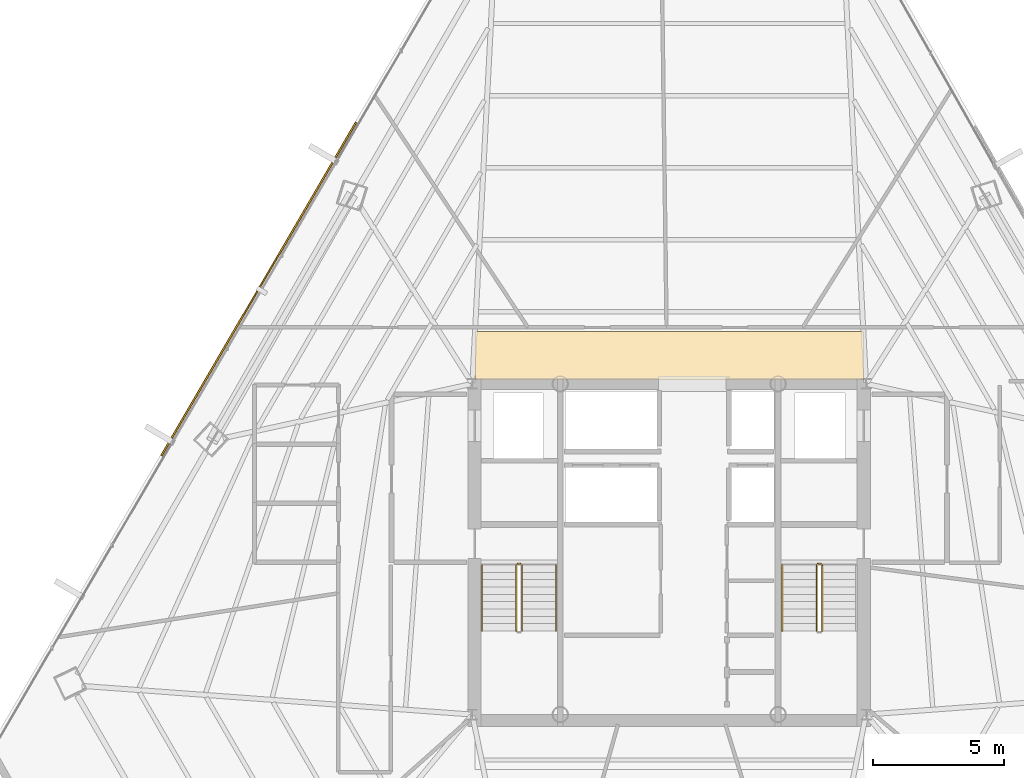
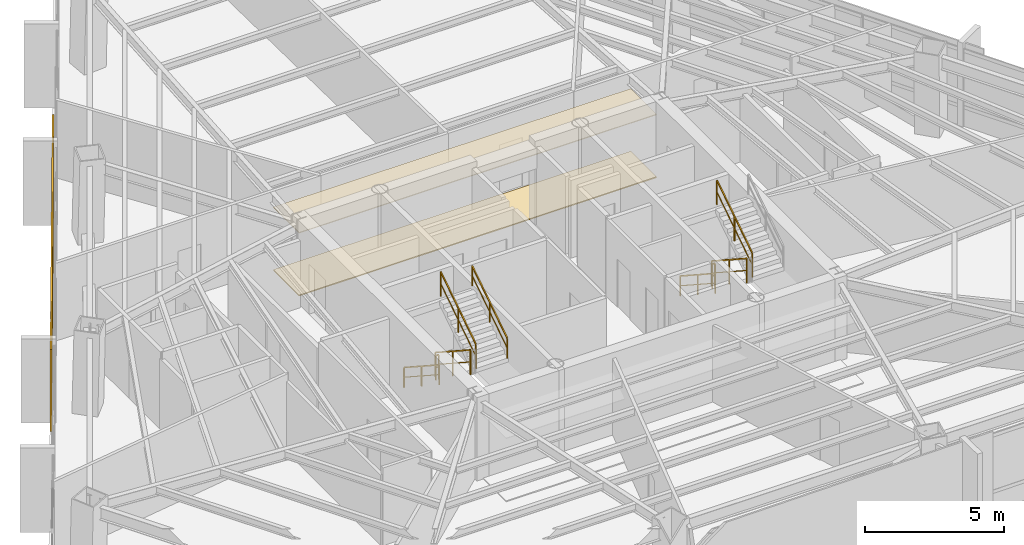
# One storey, part 40 of 41: 9 railings, 2 coverings, 1 shading device.
"""IFC4 building model written with IfcOpenShell, lengths in metres."""

from ifc_helpers import new_model, si_unit, direction, frame, origin, origin_2d, place, context, subcontext, project, spatial, polyline, rectangle, outline, extrude, source, transform, mapped, material, layer, layer_set, type_object, type_shapes, element, save


model = new_model("IFC4")

# Units and contexts
model_context = context("Model", 3, precision=1e-05, world=origin(), true_north=direction((0.0, 1.0)))
body_context = subcontext(model_context, "Body", "Model", "MODEL_VIEW")
ifc_project = project(units=[si_unit("LENGTHUNIT", "METRE"), si_unit("AREAUNIT", "SQUARE_METRE"), si_unit("VOLUMEUNIT", "CUBIC_METRE"), si_unit("PLANEANGLEUNIT", "RADIAN"), si_unit("MASSUNIT", "GRAM", prefix="KILO")], contexts=[model_context])

# Site, building, storey
site_placement = place(None, origin())
site = spatial("IfcSite", under=ifc_project, at=site_placement, CompositionType="ELEMENT")
building_placement = place(site_placement, origin())
building = spatial("IfcBuilding", under=site, at=building_placement, Name="Caelisora Broadcast Tower", CompositionType="ELEMENT")
storey_placement = place(building_placement, frame((0.0, 0.0, 135.449951171875)))
storey = spatial("IfcBuildingStorey", under=building, at=storey_placement, Name="L35", CompositionType="ELEMENT", Elevation=135.449951171875)

# Coverings
ifc_material_1 = material(Name="Perforated Mineral-Fibre Acoustic Ceiling Tile", Category="gypsum")
ifc_layer_1 = layer(ifc_material_1, 0.034912109375, Name="Perforated Mineral-Fibre Acoustic Ceiling Tile")
ifc_layer_set_1 = layer_set([ifc_layer_1], Name="Perforated Mineral-Fibre Acoustic Ceiling Tile")
covering_type_1 = type_object("IfcCoveringType", Name="CE-1", PredefinedType="CEILING", material=ifc_layer_set_1)
covering_1_placement = place(storey_placement, frame((0.0, 0.0, 2.75)))
element("IfcCovering", 1, at=covering_1_placement, inside=storey, type_object=covering_type_1, Name="L35 acoustic corridor ceiling CE-1 (N)", PredefinedType="CEILING", context=body_context, shape_type="SweptSolid", body=[
    extrude(outline(polyline([(30.60009765625, 30.14990234375), (45.39990234375, 30.14990234375), (45.39990234375, 32.0), (30.60009765625, 32.0), (30.60009765625, 30.14990234375)])), origin(), (0.0, 0.0, 1.0), 0.03515625),
])
ifc_material_2 = material(Name="Anti-Static Broadcast Raised Access Floor Panel", Category="steel")
ifc_layer_2 = layer(ifc_material_2, 0.044921875, Name="Anti-Static Broadcast Raised Access Floor Panel")
ifc_layer_set_2 = layer_set([ifc_layer_2], Name="Anti-Static Broadcast Raised Access Floor Panel")
covering_type_2 = type_object("IfcCoveringType", Name="FL-1", PredefinedType="FLOORING", material=ifc_layer_set_2)
covering_2_placement = place(storey_placement, origin())
element("IfcCovering", 2, at=covering_2_placement, inside=storey, type_object=covering_type_2, Name="L35 broadcast raised access floor FL-1 (N)", PredefinedType="FLOORING", context=body_context, shape_type="SweptSolid", body=[
    extrude(outline(polyline([(30.60009765625, 30.14990234375), (45.39990234375, 30.14990234375), (45.39990234375, 32.0), (30.60009765625, 32.0), (30.60009765625, 30.14990234375)])), origin(), (0.0, 0.0, 1.0), 0.045166015625),
])

# Railings
ifc_material_3 = material(Name="Galvanised Steel Safety Guardrail", Category="steel")
ifc_layer_3 = layer(ifc_material_3, 0.048095703125, Name="Galvanised Steel Safety Guardrail")
ifc_layer_set_3 = layer_set([ifc_layer_3], Name="Galvanised Steel Safety Guardrail")
railing_type_1 = type_object("IfcRailingType", Name="GR-1", PredefinedType="GUARDRAIL", material=ifc_layer_set_3)
railing_1_placement = place(storey_placement, frame((32.169921875, 23.10009765625, 0.1826171875)))
element("IfcRailing", 3, at=railing_1_placement, inside=storey, type_object=railing_type_1, Name="L35 ST-1 stair guard 1", PredefinedType="GUARDRAIL", context=body_context, shape_type="SweptSolid", body=[
    extrude(rectangle(XDim=0.048095703125, YDim=0.048095703125, at=origin_2d()), frame((0.0, 0.0, 1.076171875), z_axis=(0.0, -0.837786554691, 0.545997883492), x_axis=(1.0, 0.0, 0.0)), (0.0, 0.0, 1.0), 3.008056640625),
    extrude(rectangle(XDim=0.03125, YDim=0.03125, at=origin_2d()), frame((0.0, 0.0, 0.550048828125), z_axis=(0.0, -0.837786554691, 0.545997883492), x_axis=(1.0, 0.0, 0.0)), (0.0, 0.0, 1.0), 3.008056640625),
    extrude(rectangle(XDim=0.0419921875, YDim=0.0419921875, at=origin_2d()), origin(), (0.0, 0.0, 1.0), 1.052001953125),
    extrude(rectangle(XDim=0.0419921875, YDim=0.0419921875, at=origin_2d()), frame((0.0, -1.260009765625, 0.8212890625)), (0.0, 0.0, 1.0), 1.052001953125),
    extrude(rectangle(XDim=0.0419921875, YDim=0.0419921875, at=origin_2d()), frame((0.0, -2.52001953125, 1.642333984375)), (0.0, 0.0, 1.0), 1.052001953125),
])
railing_2_placement = place(storey_placement, frame((32.389892578125, 20.580078125, 2.007568359375)))
element("IfcRailing", 4, at=railing_2_placement, inside=storey, type_object=railing_type_1, Name="L35 ST-1 stair guard 3", PredefinedType="GUARDRAIL", context=body_context, shape_type="SweptSolid", body=[
    extrude(rectangle(XDim=0.048095703125, YDim=0.048095703125, at=origin_2d()), frame((0.0, 0.0, 1.076171875), z_axis=(0.0, 0.837749427056, 0.546054848405), x_axis=(-1.0, 0.0, 0.0)), (0.0, 0.0, 1.0), 3.008056640625),
    extrude(rectangle(XDim=0.03125, YDim=0.03125, at=origin_2d()), frame((0.0, 0.0, 0.550048828125), z_axis=(0.0, 0.837749427056, 0.546054848405), x_axis=(-1.0, 0.0, 0.0)), (0.0, 0.0, 1.0), 3.008056640625),
    extrude(rectangle(XDim=0.0419921875, YDim=0.0419921875, at=origin_2d()), origin(), (0.0, 0.0, 1.0), 1.052001953125),
    extrude(rectangle(XDim=0.0419921875, YDim=0.0419921875, at=origin_2d()), frame((0.0, 1.260009765625, 0.8212890625)), (0.0, 0.0, 1.0), 1.052001953125),
    extrude(rectangle(XDim=0.0419921875, YDim=0.0419921875, at=origin_2d()), frame((0.0, 2.52001953125, 1.642578125)), (0.0, 0.0, 1.0), 1.052001953125),
])
railing_3_placement = place(storey_placement, frame((32.219970703125, 23.14990234375, 0.0)))
element("IfcRailing", 5, at=railing_3_placement, inside=storey, type_object=railing_type_1, Name="L35 ST-1 stair guard 4", PredefinedType="GUARDRAIL", context=body_context, shape_type="SweptSolid", body=[
    extrude(rectangle(XDim=0.048095703125, YDim=0.048095703125, at=origin_2d()), frame((0.0, 0.0, 1.076171875), z_axis=(1.0, 0.0, 0.0), x_axis=(0.0, 1.0, 0.0)), (0.0, 0.0, 1.0), 0.1201171875),
    extrude(rectangle(XDim=0.03125, YDim=0.03125, at=origin_2d()), frame((0.0, 0.0, 0.550048828125), z_axis=(1.0, 0.0, 0.0), x_axis=(0.0, 1.0, 0.0)), (0.0, 0.0, 1.0), 0.1201171875),
    extrude(rectangle(XDim=0.0419921875, YDim=0.0419921875, at=origin_2d()), origin(), (0.0, 0.0, 1.0), 1.052001953125),
    extrude(rectangle(XDim=0.0419921875, YDim=0.0419921875, at=origin_2d()), frame((0.1201171875, 0.0, 0.0)), (0.0, 0.0, 1.0), 1.052001953125),
])
railing_4_placement = place(storey_placement, frame((43.610107421875, 23.10009765625, 0.1826171875)))
element("IfcRailing", 6, at=railing_4_placement, inside=storey, type_object=railing_type_1, Name="L35 ST-2 stair guard 1", PredefinedType="GUARDRAIL", context=body_context, shape_type="SweptSolid", body=[
    extrude(rectangle(XDim=0.048095703125, YDim=0.048095703125, at=origin_2d()), frame((0.0, 0.0, 1.076171875), z_axis=(0.0, -0.837786554691, 0.545997883492), x_axis=(1.0, 0.0, 0.0)), (0.0, 0.0, 1.0), 3.008056640625),
    extrude(rectangle(XDim=0.03125, YDim=0.03125, at=origin_2d()), frame((0.0, 0.0, 0.550048828125), z_axis=(0.0, -0.837786554691, 0.545997883492), x_axis=(1.0, 0.0, 0.0)), (0.0, 0.0, 1.0), 3.008056640625),
    extrude(rectangle(XDim=0.0419921875, YDim=0.0419921875, at=origin_2d()), origin(), (0.0, 0.0, 1.0), 1.052001953125),
    extrude(rectangle(XDim=0.0419921875, YDim=0.0419921875, at=origin_2d()), frame((0.0, -1.260009765625, 0.8212890625)), (0.0, 0.0, 1.0), 1.052001953125),
    extrude(rectangle(XDim=0.0419921875, YDim=0.0419921875, at=origin_2d()), frame((0.0, -2.52001953125, 1.642333984375)), (0.0, 0.0, 1.0), 1.052001953125),
])
railing_5_placement = place(storey_placement, frame((43.830078125, 20.580078125, 2.007568359375)))
element("IfcRailing", 7, at=railing_5_placement, inside=storey, type_object=railing_type_1, Name="L35 ST-2 stair guard 3", PredefinedType="GUARDRAIL", context=body_context, shape_type="SweptSolid", body=[
    extrude(rectangle(XDim=0.048095703125, YDim=0.048095703125, at=origin_2d()), frame((0.0, 0.0, 1.076171875), z_axis=(0.0, 0.837749427056, 0.546054848405), x_axis=(-1.0, 0.0, 0.0)), (0.0, 0.0, 1.0), 3.008056640625),
    extrude(rectangle(XDim=0.03125, YDim=0.03125, at=origin_2d()), frame((0.0, 0.0, 0.550048828125), z_axis=(0.0, 0.837749427056, 0.546054848405), x_axis=(-1.0, 0.0, 0.0)), (0.0, 0.0, 1.0), 3.008056640625),
    extrude(rectangle(XDim=0.0419921875, YDim=0.0419921875, at=origin_2d()), origin(), (0.0, 0.0, 1.0), 1.052001953125),
    extrude(rectangle(XDim=0.0419921875, YDim=0.0419921875, at=origin_2d()), frame((0.0, 1.260009765625, 0.8212890625)), (0.0, 0.0, 1.0), 1.052001953125),
    extrude(rectangle(XDim=0.0419921875, YDim=0.0419921875, at=origin_2d()), frame((0.0, 2.52001953125, 1.642578125)), (0.0, 0.0, 1.0), 1.052001953125),
])
railing_6_placement = place(storey_placement, frame((43.659912109375, 23.14990234375, 0.0)))
element("IfcRailing", 8, at=railing_6_placement, inside=storey, type_object=railing_type_1, Name="L35 ST-2 stair guard 4", PredefinedType="GUARDRAIL", context=body_context, shape_type="SweptSolid", body=[
    extrude(rectangle(XDim=0.048095703125, YDim=0.048095703125, at=origin_2d()), frame((0.0, 0.0, 1.076171875), z_axis=(1.0, 0.0, 0.0), x_axis=(0.0, 1.0, 0.0)), (0.0, 0.0, 1.0), 0.1201171875),
    extrude(rectangle(XDim=0.03125, YDim=0.03125, at=origin_2d()), frame((0.0, 0.0, 0.550048828125), z_axis=(1.0, 0.0, 0.0), x_axis=(0.0, 1.0, 0.0)), (0.0, 0.0, 1.0), 0.1201171875),
    extrude(rectangle(XDim=0.0419921875, YDim=0.0419921875, at=origin_2d()), origin(), (0.0, 0.0, 1.0), 1.052001953125),
    extrude(rectangle(XDim=0.0419921875, YDim=0.0419921875, at=origin_2d()), frame((0.1201171875, 0.0, 0.0)), (0.0, 0.0, 1.0), 1.052001953125),
])
ifc_material_4 = material(Name="Stainless Steel Grade 316 Tubular Handrail", Category="steel")
ifc_layer_4 = layer(ifc_material_4, 0.048095703125, Name="Stainless Steel Grade 316 Tubular Handrail")
ifc_layer_set_4 = layer_set([ifc_layer_4], Name="Stainless Steel Grade 316 Tubular Handrail")
railing_type_2 = type_object("IfcRailingType", Name="HR-1", PredefinedType="HANDRAIL", material=ifc_layer_set_4)
railing_7_placement = place(storey_placement, frame((30.8701171875, 23.10009765625, 0.1826171875)))
element("IfcRailing", 9, at=railing_7_placement, inside=storey, type_object=railing_type_2, Name="L35 ST-1 stair handrail 1", PredefinedType="HANDRAIL", context=body_context, shape_type="SweptSolid", body=[
    extrude(rectangle(XDim=0.048095703125, YDim=0.048095703125, at=origin_2d()), frame((0.0, 0.0, 0.8759765625), z_axis=(0.0, -0.837786554691, 0.545997883492), x_axis=(1.0, 0.0, 0.0)), (0.0, 0.0, 1.0), 3.008056640625),
    extrude(rectangle(XDim=0.03125, YDim=0.03125, at=origin_2d()), frame((0.0, 0.0, 0.449951171875), z_axis=(0.0, -0.837786554691, 0.545997883492), x_axis=(1.0, 0.0, 0.0)), (0.0, 0.0, 1.0), 3.008056640625),
    extrude(rectangle(XDim=0.0419921875, YDim=0.0419921875, at=origin_2d()), origin(), (0.0, 0.0, 1.0), 0.851806640625),
    extrude(rectangle(XDim=0.0419921875, YDim=0.0419921875, at=origin_2d()), frame((0.0, -1.260009765625, 0.8212890625)), (0.0, 0.0, 1.0), 0.851806640625),
    extrude(rectangle(XDim=0.0419921875, YDim=0.0419921875, at=origin_2d()), frame((0.0, -2.52001953125, 1.642333984375)), (0.0, 0.0, 1.0), 0.851806640625),
])
railing_8_placement = place(storey_placement, frame((33.68994140625, 20.580078125, 2.007568359375)))
element("IfcRailing", 10, at=railing_8_placement, inside=storey, type_object=railing_type_2, Name="L35 ST-1 stair handrail 2", PredefinedType="HANDRAIL", context=body_context, shape_type="SweptSolid", body=[
    extrude(rectangle(XDim=0.048095703125, YDim=0.048095703125, at=origin_2d()), frame((0.0, 0.0, 0.8759765625), z_axis=(0.0, 0.837749427056, 0.546054848405), x_axis=(-1.0, 0.0, 0.0)), (0.0, 0.0, 1.0), 3.008056640625),
    extrude(rectangle(XDim=0.03125, YDim=0.03125, at=origin_2d()), frame((0.0, 0.0, 0.449951171875), z_axis=(0.0, 0.837749427056, 0.546054848405), x_axis=(-1.0, 0.0, 0.0)), (0.0, 0.0, 1.0), 3.008056640625),
    extrude(rectangle(XDim=0.0419921875, YDim=0.0419921875, at=origin_2d()), origin(), (0.0, 0.0, 1.0), 0.851806640625),
    extrude(rectangle(XDim=0.0419921875, YDim=0.0419921875, at=origin_2d()), frame((0.0, 1.260009765625, 0.8212890625)), (0.0, 0.0, 1.0), 0.851806640625),
    extrude(rectangle(XDim=0.0419921875, YDim=0.0419921875, at=origin_2d()), frame((0.0, 2.52001953125, 1.642578125)), (0.0, 0.0, 1.0), 0.851806640625),
])
railing_9_placement = place(storey_placement, frame((42.31005859375, 23.10009765625, 0.1826171875)))
element("IfcRailing", 11, at=railing_9_placement, inside=storey, type_object=railing_type_2, Name="L35 ST-2 stair handrail 1", PredefinedType="HANDRAIL", context=body_context, shape_type="SweptSolid", body=[
    extrude(rectangle(XDim=0.048095703125, YDim=0.048095703125, at=origin_2d()), frame((0.0, 0.0, 0.8759765625), z_axis=(0.0, -0.837786554691, 0.545997883492), x_axis=(1.0, 0.0, 0.0)), (0.0, 0.0, 1.0), 3.008056640625),
    extrude(rectangle(XDim=0.03125, YDim=0.03125, at=origin_2d()), frame((0.0, 0.0, 0.449951171875), z_axis=(0.0, -0.837786554691, 0.545997883492), x_axis=(1.0, 0.0, 0.0)), (0.0, 0.0, 1.0), 3.008056640625),
    extrude(rectangle(XDim=0.0419921875, YDim=0.0419921875, at=origin_2d()), origin(), (0.0, 0.0, 1.0), 0.851806640625),
    extrude(rectangle(XDim=0.0419921875, YDim=0.0419921875, at=origin_2d()), frame((0.0, -1.260009765625, 0.8212890625)), (0.0, 0.0, 1.0), 0.851806640625),
    extrude(rectangle(XDim=0.0419921875, YDim=0.0419921875, at=origin_2d()), frame((0.0, -2.52001953125, 1.642333984375)), (0.0, 0.0, 1.0), 0.851806640625),
])

# Shading device
ifc_material_5 = material(Name="Perforated Glazed Terracotta Baguette Solar Screen", Category="ceramic")
ifc_layer_5 = layer(ifc_material_5, 0.06494140625, Name="Perforated Glazed Terracotta Baguette Solar Screen")
ifc_layer_set_5 = layer_set([ifc_layer_5], Name="Perforated Glazed Terracotta Baguette Solar Screen")
shading_device_type = type_object("IfcShadingDeviceType", Name="SS-1", PredefinedType="USERDEFINED", material=ifc_layer_set_5)
shared_shape = source(origin(), body_context, "Body", "SweptSolid", [
    extrude(rectangle(XDim=14.702880859375, YDim=0.06494140625, at=origin_2d()), origin(), (0.0, 0.0, 1.0), 3.590087890625),
])
type_shapes(shading_device_type, [shared_shape])
shading_device_placement = place(storey_placement, frame((22.362060546875, 33.6123046875, 0.0), z_axis=(0.0, 0.0, 1.0), x_axis=(-0.504527623815, -0.863395550607, 0.0)))
element("IfcShadingDevice", 12, at=shading_device_placement, inside=storey, type_object=shading_device_type, Name="L35 perforated terracotta solar screen #1", ObjectType="SOLAR SCREEN", PredefinedType="USERDEFINED", context=body_context, shape_type="MappedRepresentation", body=[
    mapped(shared_shape, transform((0.0, 0.0, 0.0), scale=1.0)),
])

save(model, "model.ifc")
